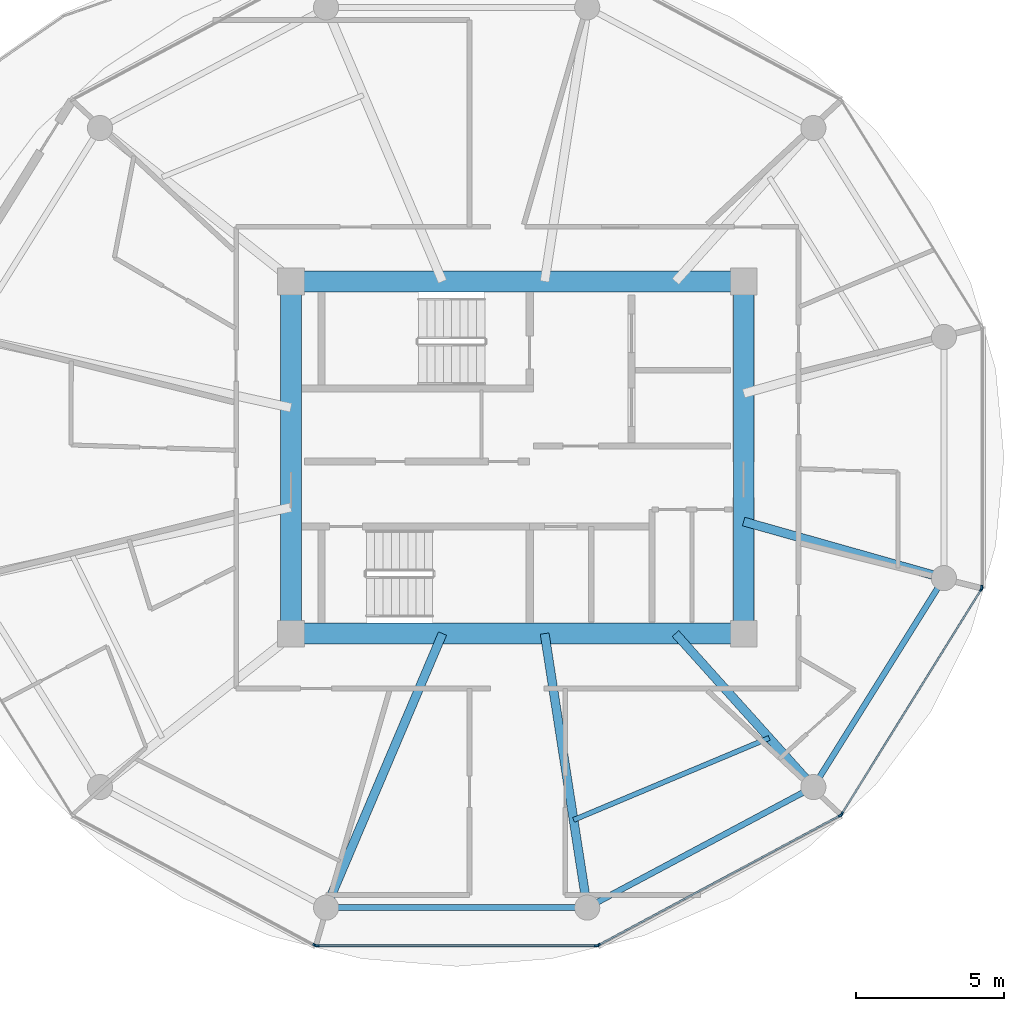
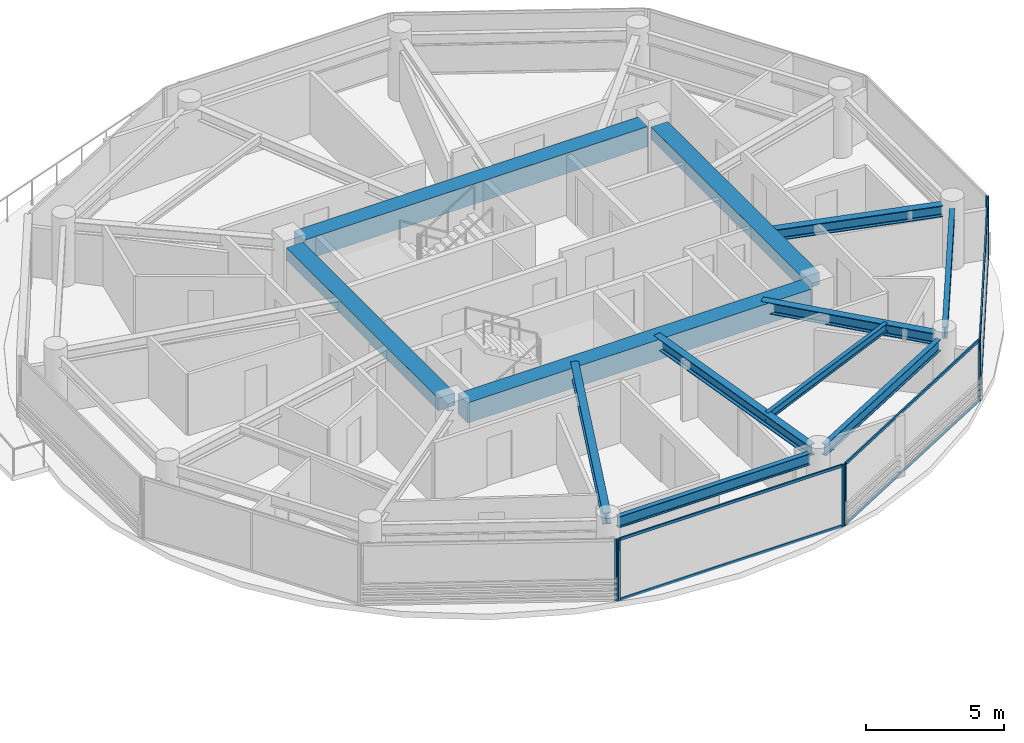
# One storey, part 10 of 22: 14 members, 12 beams, 5 elements without a shape of their own.
"""IFC4 building model written with IfcOpenShell, lengths in metres."""

from ifc_helpers import new_model, si_unit, direction, frame, origin, origin_2d, place, context, subcontext, project, spatial, rectangle, i_section, extrude, source, transform, mapped, material, layer, layer_set, material_profile, profile_set, type_object, type_shapes, element, aggregate, save


model = new_model("IFC4")

# Units and contexts
model_context = context("Model", 3, precision=1e-05, world=origin(), true_north=direction((0.0, 1.0)))
body_context = subcontext(model_context, "Body", "Model", "MODEL_VIEW")
ifc_project = project(units=[si_unit("LENGTHUNIT", "METRE"), si_unit("AREAUNIT", "SQUARE_METRE"), si_unit("VOLUMEUNIT", "CUBIC_METRE"), si_unit("PLANEANGLEUNIT", "RADIAN"), si_unit("MASSUNIT", "GRAM", prefix="KILO")], contexts=[model_context])

# Site, building, storey
site_placement = place(None, origin())
site = spatial("IfcSite", under=ifc_project, at=site_placement, CompositionType="ELEMENT")
building_placement = place(site_placement, origin())
building = spatial("IfcBuilding", under=site, at=building_placement, Name="Norrkilde Senior Care Towers", CompositionType="ELEMENT")
storey_placement = place(building_placement, frame((0.0, 0.0, 126.75)))
storey = spatial("IfcBuildingStorey", under=building, at=storey_placement, Name="L39", CompositionType="ELEMENT", Elevation=126.75)

# Beams
ifc_material_1 = material(Name="Concrete C60/75", Category="concrete")
ifc_material_profile_1 = material_profile(ifc_material_1, rectangle(XDim=0.699951171875, YDim=0.89990234375, at=origin_2d()), Name="RC BM 700x900")
ifc_profile_set_1 = profile_set([ifc_material_profile_1], Name="Concrete C60/75")
beam_type_1 = type_object("IfcBeamType", Name="Core Coupling Girder 700x900", PredefinedType="USERDEFINED", material=ifc_profile_set_1)
shared_shape_1 = source(origin(), body_context, "Body", "SweptSolid", [
    extrude(rectangle(XDim=0.699951171875, YDim=0.89990234375, at=origin_2d()), origin(), (0.0, 0.0, 1.0), 14.43994140625),
])
type_shapes(beam_type_1, [shared_shape_1])
for number, where, z_axis, x_axis, name in (
    (1, (20.780029296875, 5.949951171875, 2.280029296875), (1.0, 0.0, 0.0), (0.0, 1.0, 0.0), "L39 Core E N Coupling Girder"),
    (2, (20.780029296875, -5.949951171875, 2.280029296875), (1.0, 0.0, 0.0), (0.0, 1.0, 0.0), "L39 Core E S Coupling Girder"),
):
    element("IfcBeam", number, at=place(storey_placement, frame(where, z_axis=z_axis, x_axis=x_axis)), inside=storey, type_object=beam_type_1, Name=name, ObjectType="GIRDER", PredefinedType="USERDEFINED", context=body_context, shape_type="MappedRepresentation", body=[
        mapped(shared_shape_1, transform((0.0, 0.0, 0.0), x_axis=(1.0, 0.0, 0.0), y_axis=(0.0, 1.0, 0.0), z_axis=(0.0, 0.0, 1.0), scale=1.0)),
    ])
ifc_material_profile_2 = material_profile(ifc_material_1, rectangle(XDim=0.699951171875, YDim=0.550048828125, at=origin_2d()), Name="RC BM 700x550")
ifc_profile_set_2 = profile_set([ifc_material_profile_2], Name="Concrete C60/75")
beam_type_2 = type_object("IfcBeamType", Name="Core Portal Coupling Beam 700x550", PredefinedType="USERDEFINED", material=ifc_profile_set_2)
shared_shape_2 = source(origin(), body_context, "Body", "SweptSolid", [
    extrude(rectangle(XDim=0.699951171875, YDim=0.550048828125, at=origin_2d()), origin(), (0.0, 0.0, 1.0), 11.0400390625),
])
type_shapes(beam_type_2, [shared_shape_2])
for number, where, z_axis, x_axis, name in (
    (3, (20.35009765625, -5.52001953125, 2.455078125), (0.0, 1.0, 0.0), (-1.0, 0.0, 0.0), "L39 Core E W Coupling Girder"),
    (4, (35.64990234375, -5.52001953125, 2.455078125), (0.0, 1.0, 0.0), (-1.0, 0.0, 0.0), "L39 Core E E Coupling Girder"),
):
    element("IfcBeam", number, at=place(storey_placement, frame(where, z_axis=z_axis, x_axis=x_axis)), inside=storey, type_object=beam_type_2, Name=name, ObjectType="GIRDER", PredefinedType="USERDEFINED", context=body_context, shape_type="MappedRepresentation", body=[
        mapped(shared_shape_2, transform((0.0, 0.0, 0.0), x_axis=(1.0, 0.0, 0.0), y_axis=(0.0, 1.0, 0.0), z_axis=(0.0, 0.0, 1.0), scale=1.0)),
    ])
ifc_material_2 = material(Name="Steel S355", Category="steel")
ifc_material_profile_3 = material_profile(ifc_material_2, i_section(OverallWidth=0.199951171875, OverallDepth=0.5, WebThickness=0.01025390625, FlangeThickness=0.01611328125, FilletRadius=0.02099609375, at=origin_2d()), Name="IPE 500")
ifc_profile_set_3 = profile_set([ifc_material_profile_3], Name="Steel S355")
beam_type_3 = type_object("IfcBeamType", Name="Perimeter Ring Spandrel Z2 IPE500", PredefinedType="SPANDREL", material=ifc_profile_set_3)
shared_shape_3 = source(origin(), body_context, "Body", "SweptSolid", [
    extrude(i_section(OverallWidth=0.199951171875, OverallDepth=0.5, WebThickness=0.01025390625, FlangeThickness=0.01611328125, FilletRadius=0.02099609375, at=origin_2d()), origin(), (0.0, 0.0, 1.0), 7.892333984375),
])
beam_1_placement = place(storey_placement, frame((30.70263671875, -15.0322265625, 2.47998046875), z_axis=(0.882350372282, 0.47059305194, 0.0), x_axis=(-0.47059305194, 0.882350372282, 0.0)))
element("IfcBeam", 5, at=beam_1_placement, inside=storey, type_object=beam_type_3, Name="L39 Drum E Perimeter Spandrel 10", PredefinedType="SPANDREL", context=body_context, shape_type="MappedRepresentation", body=[
    mapped(shared_shape_3, transform((0.0, 0.0, 0.0), x_axis=(1.0, 0.0, 0.0), y_axis=(0.0, 1.0, 0.0), z_axis=(0.0, 0.0, 1.0), scale=1.0)),
])
shared_shape_4 = source(origin(), body_context, "Body", "SweptSolid", [
    extrude(i_section(OverallWidth=0.199951171875, OverallDepth=0.5, WebThickness=0.01025390625, FlangeThickness=0.01611328125, FilletRadius=0.02099609375, at=origin_2d()), origin(), (0.0, 0.0, 1.0), 8.0556640625),
])
beam_2_placement = place(storey_placement, frame((21.922119140625, -15.21337890625, 2.47998046875), z_axis=(1.0, 0.0, 0.0), x_axis=(0.0, 1.0, 0.0)))
element("IfcBeam", 6, at=beam_2_placement, inside=storey, type_object=beam_type_3, Name="L39 Drum E Perimeter Spandrel 09", PredefinedType="SPANDREL", context=body_context, shape_type="MappedRepresentation", body=[
    mapped(shared_shape_4, transform((0.0, 0.0, 0.0), x_axis=(1.0, 0.0, 0.0), y_axis=(0.0, 1.0, 0.0), z_axis=(0.0, 0.0, 1.0), scale=1.0)),
])
ifc_material_profile_4 = material_profile(ifc_material_2, i_section(OverallWidth=0.300048828125, OverallDepth=0.5, WebThickness=0.014404296875, FlangeThickness=0.028076171875, FilletRadius=0.027099609375, at=origin_2d()), Name="HEB 500")
ifc_profile_set_4 = profile_set([ifc_material_profile_4], Name="Steel S355")
beam_type_4 = type_object("IfcBeamType", Name="Radial Floor Beam Z2 HEB500", PredefinedType="BEAM", material=ifc_profile_set_4)
shared_shape_5 = source(origin(), body_context, "Body", "SweptSolid", [
    extrude(i_section(OverallWidth=0.300048828125, OverallDepth=0.5, WebThickness=0.014404296875, FlangeThickness=0.028076171875, FilletRadius=0.027099609375, at=origin_2d()), origin(), (0.0, 0.0, 1.0), 9.679443359375),
])
beam_3_placement = place(storey_placement, frame((25.472412109375, -5.949951171875, 2.47998046875), z_axis=(-0.390998033479, -0.920391513333, 0.0), x_axis=(0.920391513333, -0.390998033479, 0.0)))
element("IfcBeam", 7, at=beam_3_placement, inside=storey, type_object=beam_type_4, Name="L39 Drum E Radial Floor Beam 09", PredefinedType="BEAM", context=body_context, shape_type="MappedRepresentation", body=[
    mapped(shared_shape_5, transform((0.0, 0.0, 0.0), x_axis=(1.0, 0.0, 0.0), y_axis=(0.0, 1.0, 0.0), z_axis=(0.0, 0.0, 1.0), scale=1.0)),
])
shared_shape_6 = source(origin(), body_context, "Body", "SweptSolid", [
    extrude(i_section(OverallWidth=0.300048828125, OverallDepth=0.5, WebThickness=0.014404296875, FlangeThickness=0.028076171875, FilletRadius=0.027099609375, at=origin_2d()), origin(), (0.0, 0.0, 1.0), 8.989501953125),
])
beam_4_placement = place(storey_placement, frame((28.924072265625, -5.949951171875, 2.47998046875), z_axis=(0.153471298636, -0.988153105796, 0.0), x_axis=(0.988153105796, 0.153471298636, 0.0)))
element("IfcBeam", 8, at=beam_4_placement, inside=storey, type_object=beam_type_4, Name="L39 Drum E Radial Floor Beam 10", PredefinedType="BEAM", context=body_context, shape_type="MappedRepresentation", body=[
    mapped(shared_shape_6, transform((0.0, 0.0, 0.0), x_axis=(1.0, 0.0, 0.0), y_axis=(0.0, 1.0, 0.0), z_axis=(0.0, 0.0, 1.0), scale=1.0)),
])
shared_shape_7 = source(origin(), body_context, "Body", "SweptSolid", [
    extrude(i_section(OverallWidth=0.199951171875, OverallDepth=0.5, WebThickness=0.01025390625, FlangeThickness=0.01611328125, FilletRadius=0.02099609375, at=origin_2d()), origin(), (0.0, 0.0, 1.0), 7.556396484375),
])
type_shapes(beam_type_3, [shared_shape_3, shared_shape_4, shared_shape_7])
beam_5_placement = place(storey_placement, frame((38.210205078125, -10.810546875, 2.47998046875), z_axis=(0.530004748437, 0.847994673706, 0.0), x_axis=(-0.847994673706, 0.530004748437, 0.0)))
element("IfcBeam", 9, at=beam_5_placement, inside=storey, type_object=beam_type_3, Name="L39 Drum E Perimeter Spandrel 11", PredefinedType="SPANDREL", context=body_context, shape_type="MappedRepresentation", body=[
    mapped(shared_shape_7, transform((0.0, 0.0, 0.0), x_axis=(1.0, 0.0, 0.0), y_axis=(0.0, 1.0, 0.0), z_axis=(0.0, 0.0, 1.0), scale=1.0)),
])
shared_shape_8 = source(origin(), body_context, "Body", "SweptSolid", [
    extrude(i_section(OverallWidth=0.300048828125, OverallDepth=0.5, WebThickness=0.014404296875, FlangeThickness=0.028076171875, FilletRadius=0.027099609375, at=origin_2d()), origin(), (0.0, 0.0, 1.0), 6.587890625),
])
beam_6_placement = place(storey_placement, frame((33.345947265625, -5.949951171875, 2.47998046875), z_axis=(0.668315438605, -0.743877997068, 0.0), x_axis=(0.743877997068, 0.668315438605, 0.0)))
element("IfcBeam", 10, at=beam_6_placement, inside=storey, type_object=beam_type_4, Name="L39 Drum E Radial Floor Beam 11", PredefinedType="BEAM", context=body_context, shape_type="MappedRepresentation", body=[
    mapped(shared_shape_8, transform((0.0, 0.0, 0.0), x_axis=(1.0, 0.0, 0.0), y_axis=(0.0, 1.0, 0.0), z_axis=(0.0, 0.0, 1.0), scale=1.0)),
])
shared_shape_9 = source(origin(), body_context, "Body", "SweptSolid", [
    extrude(i_section(OverallWidth=0.300048828125, OverallDepth=0.5, WebThickness=0.014404296875, FlangeThickness=0.028076171875, FilletRadius=0.027099609375, at=origin_2d()), origin(), (0.0, 0.0, 1.0), 6.6494140625),
])
type_shapes(beam_type_4, [shared_shape_5, shared_shape_6, shared_shape_8, shared_shape_9])
beam_7_placement = place(storey_placement, frame((35.64990234375, -2.162841796875, 2.47998046875), z_axis=(0.962289138357, -0.27202870106, 0.0), x_axis=(0.27202870106, 0.962289138357, 0.0)))
element("IfcBeam", 11, at=beam_7_placement, inside=storey, type_object=beam_type_4, Name="L39 Drum E Radial Floor Beam 12", PredefinedType="BEAM", context=body_context, shape_type="MappedRepresentation", body=[
    mapped(shared_shape_9, transform((0.0, 0.0, 0.0), x_axis=(1.0, 0.0, 0.0), y_axis=(0.0, 1.0, 0.0), z_axis=(0.0, 0.0, 1.0), scale=1.0)),
])
ifc_material_profile_5 = material_profile(ifc_material_2, i_section(OverallWidth=0.169921875, OverallDepth=0.360107421875, WebThickness=0.008056640625, FlangeThickness=0.0126953125, FilletRadius=0.01806640625, at=origin_2d()), Name="IPE 360")
ifc_profile_set_5 = profile_set([ifc_material_profile_5], Name="Steel S355")
beam_type_5 = type_object("IfcBeamType", Name="Secondary Floor Joist IPE360", PredefinedType="JOIST", material=ifc_profile_set_5)
shared_shape_10 = source(origin(), body_context, "Body", "SweptSolid", [
    extrude(i_section(OverallWidth=0.169921875, OverallDepth=0.360107421875, WebThickness=0.008056640625, FlangeThickness=0.0126953125, FilletRadius=0.01806640625, at=origin_2d()), origin(), (0.0, 0.0, 1.0), 7.169921875),
])
type_shapes(beam_type_5, [shared_shape_10])
beam_8_placement = place(storey_placement, frame((29.902587890625, -12.2490234375, 2.550048828125), z_axis=(0.922240600393, 0.386616444279, 0.0), x_axis=(-0.386616444279, 0.922240600393, 0.0)))
element("IfcBeam", 12, at=beam_8_placement, inside=storey, type_object=beam_type_5, Name="L39 Drum E Secondary Floor Joist 4", PredefinedType="JOIST", context=body_context, shape_type="MappedRepresentation", body=[
    mapped(shared_shape_10, transform((0.0, 0.0, 0.0), x_axis=(1.0, 0.0, 0.0), y_axis=(0.0, 1.0, 0.0), z_axis=(0.0, 0.0, 1.0), scale=1.0)),
])

# Curtain wall, member
ifc_material_3 = material(Name="Triple Low-E Insulated Glazing", Category="glass")
ifc_layer = layer(ifc_material_3, 0.195068359375)
ifc_layer_set = layer_set([ifc_layer], Name="Triple Low-E Insulated Glazing")
curtain_wall_type = type_object("IfcCurtainWallType", Name="CW3 Zone 2 Assisted Living Curtain Wall", PredefinedType="NOTDEFINED", material=ifc_layer_set)
curtain_wall_1_placement = place(storey_placement, origin())
curtain_wall_1 = element("IfcCurtainWall", 13, at=curtain_wall_1_placement, inside=storey, type_object=curtain_wall_type, Name="L39 Drum E Curtain Wall 07", PredefinedType="NOTDEFINED")
ifc_material_4 = material(Name="Anodised Aluminium", Category="aluminium")
ifc_material_profile_6 = material_profile(ifc_material_4, rectangle(XDim=0.06494140625, YDim=0.159912109375, at=origin_2d()), Name="ALU MULL 65x160")
ifc_profile_set_6 = profile_set([ifc_material_profile_6], Name="Anodised Aluminium")
member_type_1 = type_object("IfcMemberType", Name="Curtain Wall Mullion Z1-Z2 65x160", PredefinedType="MULLION", material=ifc_profile_set_6)
shared_shape_11 = source(origin(), body_context, "Body", "SweptSolid", [
    extrude(rectangle(XDim=0.06494140625, YDim=0.159912109375, at=origin_2d()), origin(), (0.0, 0.0, 1.0), 2.72998046875),
])
type_shapes(member_type_1, [shared_shape_11])
member_1_placement = place(storey_placement, frame((21.164306640625, -16.482666015625, 0.0), z_axis=(0.0, 0.0, 1.0), x_axis=(-0.472769402511, -0.881186184668, 0.0)))
member_1 = element("IfcMember", 14, at=member_1_placement, type_object=member_type_1, Name="CW-3 mullion 1", PredefinedType="MULLION", context=body_context, shape_type="MappedRepresentation", body=[
    mapped(shared_shape_11, transform((0.0, 0.0, 0.0), x_axis=(1.0, 0.0, 0.0), y_axis=(0.0, 1.0, 0.0), z_axis=(0.0, 0.0, 1.0), scale=1.0)),
])
aggregate(curtain_wall_1, [member_1])

# Curtain wall, members
curtain_wall_2_placement = place(storey_placement, origin())
curtain_wall_2 = element("IfcCurtainWall", 15, at=curtain_wall_2_placement, inside=storey, type_object=curtain_wall_type, Name="L39 Drum E Curtain Wall 08", PredefinedType="NOTDEFINED")
member_2_placement = place(storey_placement, frame((30.674560546875, -16.498046875, 0.0), z_axis=(0.0, 0.0, 1.0), x_axis=(0.0, -1.0, 0.0)))
member_2 = element("IfcMember", 16, at=member_2_placement, type_object=member_type_1, Name="CW-3 mullion 1", PredefinedType="MULLION", context=body_context, shape_type="MappedRepresentation", body=[
    mapped(shared_shape_11, transform((0.0, 0.0, 0.0), x_axis=(1.0, 0.0, 0.0), y_axis=(0.0, 1.0, 0.0), z_axis=(0.0, 0.0, 1.0), scale=1.0)),
])
member_3_placement = place(storey_placement, frame((21.225341796875, -16.498046875, 0.0), z_axis=(0.0, 0.0, 1.0), x_axis=(0.0, -1.0, 0.0)))
member_3 = element("IfcMember", 17, at=member_3_placement, type_object=member_type_1, Name="CW-3 mullion 2", PredefinedType="MULLION", context=body_context, shape_type="MappedRepresentation", body=[
    mapped(shared_shape_11, transform((0.0, 0.0, 0.0), x_axis=(1.0, 0.0, 0.0), y_axis=(0.0, 1.0, 0.0), z_axis=(0.0, 0.0, 1.0), scale=1.0)),
])

curtain_wall_3_placement = place(storey_placement, origin())
curtain_wall_3 = element("IfcCurtainWall", 18, at=curtain_wall_3_placement, inside=storey, type_object=curtain_wall_type, Name="L39 Drum E Curtain Wall 09", PredefinedType="NOTDEFINED")
member_4_placement = place(storey_placement, frame((38.91796875, -12.0927734375, 0.0), z_axis=(0.0, 0.0, 1.0), x_axis=(0.472769402511, -0.881186184668, 0.0)))
member_4 = element("IfcMember", 19, at=member_4_placement, type_object=member_type_1, Name="CW-3 mullion 1", PredefinedType="MULLION", context=body_context, shape_type="MappedRepresentation", body=[
    mapped(shared_shape_11, transform((0.0, 0.0, 0.0), x_axis=(1.0, 0.0, 0.0), y_axis=(0.0, 1.0, 0.0), z_axis=(0.0, 0.0, 1.0), scale=1.0)),
])
member_5_placement = place(storey_placement, frame((30.73583984375, -16.482666015625, 0.0), z_axis=(0.0, 0.0, 1.0), x_axis=(0.472769402511, -0.881186184668, 0.0)))
member_5 = element("IfcMember", 20, at=member_5_placement, type_object=member_type_1, Name="CW-3 mullion 2", PredefinedType="MULLION", context=body_context, shape_type="MappedRepresentation", body=[
    mapped(shared_shape_11, transform((0.0, 0.0, 0.0), x_axis=(1.0, 0.0, 0.0), y_axis=(0.0, 1.0, 0.0), z_axis=(0.0, 0.0, 1.0), scale=1.0)),
])

curtain_wall_4_placement = place(storey_placement, origin())
curtain_wall_4 = element("IfcCurtainWall", 21, at=curtain_wall_4_placement, inside=storey, type_object=curtain_wall_type, Name="L39 Drum E Curtain Wall 10", PredefinedType="NOTDEFINED")
member_6_placement = place(storey_placement, frame((43.6865234375, -4.4482421875, 0.0), z_axis=(0.0, 0.0, 1.0), x_axis=(0.849410171862, -0.527733228002, 0.0)))
member_6 = element("IfcMember", 22, at=member_6_placement, type_object=member_type_1, Name="CW-3 mullion 1", PredefinedType="MULLION", context=body_context, shape_type="MappedRepresentation", body=[
    mapped(shared_shape_11, transform((0.0, 0.0, 0.0), x_axis=(1.0, 0.0, 0.0), y_axis=(0.0, 1.0, 0.0), z_axis=(0.0, 0.0, 1.0), scale=1.0)),
])
member_7_placement = place(storey_placement, frame((38.9638671875, -12.0498046875, 0.0), z_axis=(0.0, 0.0, 1.0), x_axis=(0.849410171862, -0.527733228002, 0.0)))
member_7 = element("IfcMember", 23, at=member_7_placement, type_object=member_type_1, Name="CW-3 mullion 2", PredefinedType="MULLION", context=body_context, shape_type="MappedRepresentation", body=[
    mapped(shared_shape_11, transform((0.0, 0.0, 0.0), x_axis=(1.0, 0.0, 0.0), y_axis=(0.0, 1.0, 0.0), z_axis=(0.0, 0.0, 1.0), scale=1.0)),
])

# Curtain wall, member
curtain_wall_5_placement = place(storey_placement, origin())
curtain_wall_5 = element("IfcCurtainWall", 24, at=curtain_wall_5_placement, inside=storey, type_object=curtain_wall_type, Name="L39 Drum E Curtain Wall 11", PredefinedType="NOTDEFINED")
member_8_placement = place(storey_placement, frame((43.70361328125, -4.38818359375, 0.0), z_axis=(0.0, 0.0, 1.0), x_axis=(1.0, 0.0, 0.0)))
member_8 = element("IfcMember", 25, at=member_8_placement, type_object=member_type_1, Name="CW-3 mullion 2", PredefinedType="MULLION", context=body_context, shape_type="MappedRepresentation", body=[
    mapped(shared_shape_11, transform((0.0, 0.0, 0.0), x_axis=(1.0, 0.0, 0.0), y_axis=(0.0, 1.0, 0.0), z_axis=(0.0, 0.0, 1.0), scale=1.0)),
])
aggregate(curtain_wall_5, [member_8])

# Member
ifc_material_profile_7 = material_profile(ifc_material_4, rectangle(XDim=0.06005859375, YDim=0.1201171875, at=origin_2d()), Name="ALU TRAN 60x120")
ifc_profile_set_7 = profile_set([ifc_material_profile_7], Name="Anodised Aluminium")
member_type_2 = type_object("IfcMemberType", Name="Curtain Wall Transom Typical 60x120", PredefinedType="USERDEFINED", material=ifc_profile_set_7)
shared_shape_12 = source(origin(), body_context, "Body", "SweptSolid", [
    extrude(rectangle(XDim=0.06005859375, YDim=0.1201171875, at=origin_2d()), origin(), (0.0, 0.0, 1.0), 8.88427734375),
])
member_9_placement = place(storey_placement, frame((43.66943359375, -4.475830078125, 0.030029296875), z_axis=(-0.527729466743, -0.849412508697, 0.0), x_axis=(0.849412508697, -0.527729466743, 0.0)))
member_9 = element("IfcMember", 26, at=member_9_placement, type_object=member_type_2, Name="CW-3 transom 1.1", ObjectType="TRANSOM", PredefinedType="USERDEFINED", context=body_context, shape_type="MappedRepresentation", body=[
    mapped(shared_shape_12, transform((0.0, 0.0, 0.0), x_axis=(1.0, 0.0, 0.0), y_axis=(0.0, 1.0, 0.0), z_axis=(0.0, 0.0, 1.0), scale=1.0)),
])

member_10_placement = place(storey_placement, frame((43.66943359375, -4.475830078125, 2.699951171875), z_axis=(-0.527729466743, -0.849412508697, 0.0), x_axis=(0.849412508697, -0.527729466743, 0.0)))
member_10 = element("IfcMember", 27, at=member_10_placement, type_object=member_type_2, Name="CW-3 transom 1.2", ObjectType="TRANSOM", PredefinedType="USERDEFINED", context=body_context, shape_type="MappedRepresentation", body=[
    mapped(shared_shape_12, transform((0.0, 0.0, 0.0), x_axis=(1.0, 0.0, 0.0), y_axis=(0.0, 1.0, 0.0), z_axis=(0.0, 0.0, 1.0), scale=1.0)),
])

aggregate(curtain_wall_4, [member_6, member_7, member_9, member_10])

shared_shape_13 = source(origin(), body_context, "Body", "SweptSolid", [
    extrude(rectangle(XDim=0.06005859375, YDim=0.1201171875, at=origin_2d()), origin(), (0.0, 0.0, 1.0), 9.220458984375),
])
member_11_placement = place(storey_placement, frame((38.889404296875, -12.108154296875, 0.030029296875), z_axis=(-0.881188517866, -0.472765053681, 0.0), x_axis=(0.472765053681, -0.881188517866, 0.0)))
member_11 = element("IfcMember", 28, at=member_11_placement, type_object=member_type_2, Name="CW-3 transom 1.1", ObjectType="TRANSOM", PredefinedType="USERDEFINED", context=body_context, shape_type="MappedRepresentation", body=[
    mapped(shared_shape_13, transform((0.0, 0.0, 0.0), x_axis=(1.0, 0.0, 0.0), y_axis=(0.0, 1.0, 0.0), z_axis=(0.0, 0.0, 1.0), scale=1.0)),
])

member_12_placement = place(storey_placement, frame((38.889404296875, -12.108154296875, 2.699951171875), z_axis=(-0.881188517866, -0.472765053681, 0.0), x_axis=(0.472765053681, -0.881188517866, 0.0)))
member_12 = element("IfcMember", 29, at=member_12_placement, type_object=member_type_2, Name="CW-3 transom 1.2", ObjectType="TRANSOM", PredefinedType="USERDEFINED", context=body_context, shape_type="MappedRepresentation", body=[
    mapped(shared_shape_13, transform((0.0, 0.0, 0.0), x_axis=(1.0, 0.0, 0.0), y_axis=(0.0, 1.0, 0.0), z_axis=(0.0, 0.0, 1.0), scale=1.0)),
])

aggregate(curtain_wall_3, [member_4, member_5, member_11, member_12])

shared_shape_14 = source(origin(), body_context, "Body", "SweptSolid", [
    extrude(rectangle(XDim=0.06005859375, YDim=0.1201171875, at=origin_2d()), origin(), (0.0, 0.0, 1.0), 9.38427734375),
])
type_shapes(member_type_2, [shared_shape_12, shared_shape_13, shared_shape_14])
member_13_placement = place(storey_placement, frame((30.64208984375, -16.498046875, 0.030029296875), z_axis=(-1.0, 0.0, 0.0), x_axis=(0.0, -1.0, 0.0)))
member_13 = element("IfcMember", 30, at=member_13_placement, type_object=member_type_2, Name="CW-3 transom 1.1", ObjectType="TRANSOM", PredefinedType="USERDEFINED", context=body_context, shape_type="MappedRepresentation", body=[
    mapped(shared_shape_14, transform((0.0, 0.0, 0.0), x_axis=(1.0, 0.0, 0.0), y_axis=(0.0, 1.0, 0.0), z_axis=(0.0, 0.0, 1.0), scale=1.0)),
])

member_14_placement = place(storey_placement, frame((30.64208984375, -16.498046875, 2.699951171875), z_axis=(-1.0, 0.0, 0.0), x_axis=(0.0, -1.0, 0.0)))
member_14 = element("IfcMember", 31, at=member_14_placement, type_object=member_type_2, Name="CW-3 transom 1.2", ObjectType="TRANSOM", PredefinedType="USERDEFINED", context=body_context, shape_type="MappedRepresentation", body=[
    mapped(shared_shape_14, transform((0.0, 0.0, 0.0), x_axis=(1.0, 0.0, 0.0), y_axis=(0.0, 1.0, 0.0), z_axis=(0.0, 0.0, 1.0), scale=1.0)),
])

aggregate(curtain_wall_2, [member_2, member_3, member_13, member_14])

save(model, "model.ifc")
